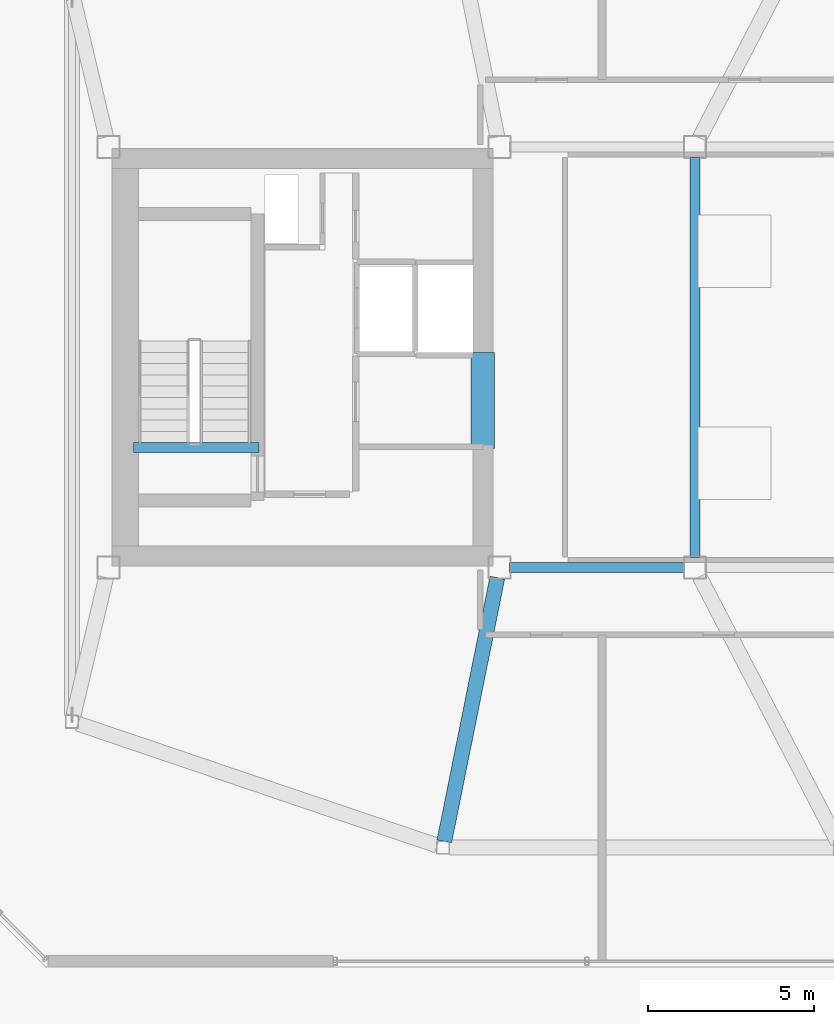
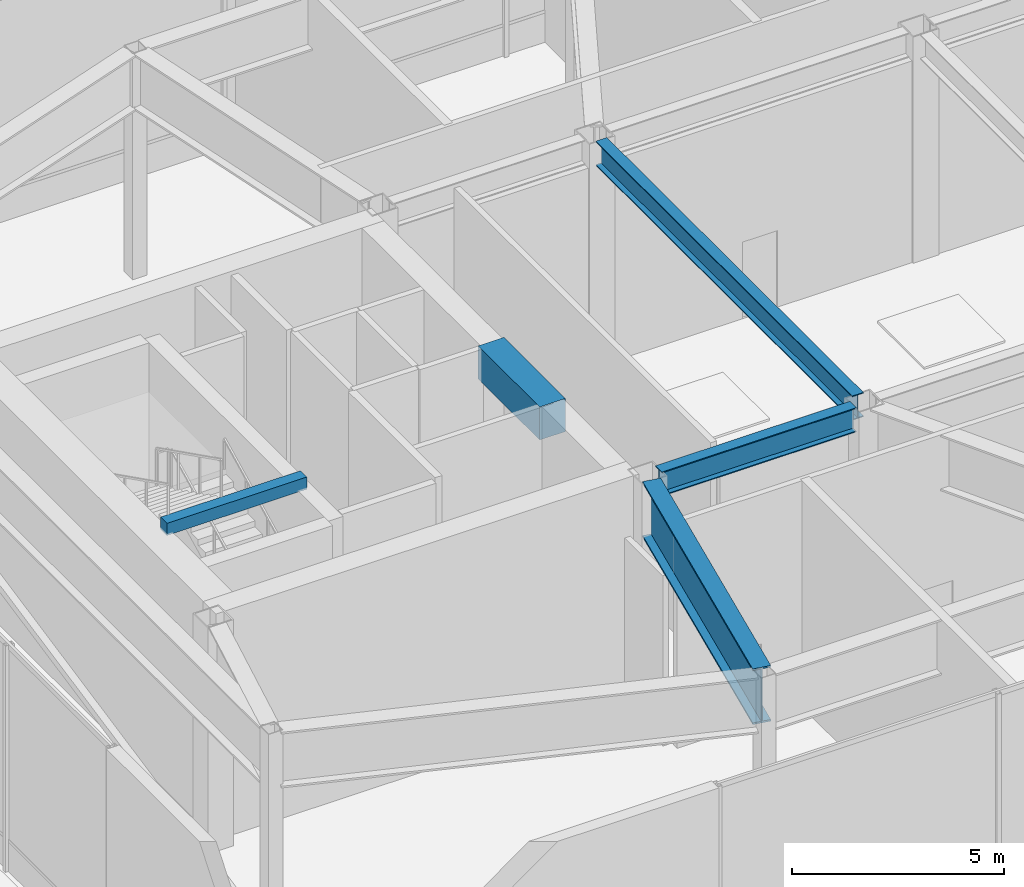
# One storey, part 5 of 25: 5 beams.
"""IFC4 building model written with IfcOpenShell, lengths in metres."""

from ifc_helpers import new_model, si_unit, direction, frame, origin, origin_2d, place, context, subcontext, project, spatial, rectangle, i_section, extrude, material, material_profile, profile_set, type_object, element, save


model = new_model("IFC4")

# Units and contexts
model_context = context("Model", 3, precision=1e-05, world=origin(), true_north=direction((0.0, 1.0)))
body_context = subcontext(model_context, "Body", "Model", "MODEL_VIEW")
ifc_project = project(units=[si_unit("LENGTHUNIT", "METRE"), si_unit("AREAUNIT", "SQUARE_METRE"), si_unit("VOLUMEUNIT", "CUBIC_METRE"), si_unit("PLANEANGLEUNIT", "RADIAN"), si_unit("MASSUNIT", "GRAM", prefix="KILO")], contexts=[model_context])

# Site, building, storey
site_placement = place(None, origin())
site = spatial("IfcSite", under=ifc_project, at=site_placement, CompositionType="ELEMENT")
building_placement = place(site_placement, origin())
building = spatial("IfcBuilding", under=site, at=building_placement, Name="Tavrogorsk Clinical Tower", CompositionType="ELEMENT")
storey_placement = place(building_placement, frame((0.0, 0.0, 333.0)))
storey = spatial("IfcBuildingStorey", under=building, at=storey_placement, Name="L78", CompositionType="ELEMENT", Elevation=333.0)

# Beams
ifc_material_1 = material(Name="Concrete B80", Category="concrete")
ifc_material_profile_1 = material_profile(ifc_material_1, rectangle(XDim=0.699951171875, YDim=0.949951171875, at=origin_2d()), Name="RC-CB-700x950")
ifc_profile_set_1 = profile_set([ifc_material_profile_1], Name="Concrete B80")
beam_type_1 = type_object("IfcBeamType", Name="CouplingBeam_RC700x950", PredefinedType="LINTEL", material=ifc_profile_set_1)
beam_1_placement = place(storey_placement, frame((-10.800048828125, -2.75, 6.02490234375), z_axis=(0.0, 1.0, 0.0), x_axis=(-1.0, 0.0, 0.0)))
element("IfcBeam", 1, at=beam_1_placement, inside=storey, type_object=beam_type_1, Name="L78 Core West Coupling Beam", PredefinedType="LINTEL", context=body_context, shape_type="SweptSolid", body=[
    extrude(rectangle(XDim=0.699951171875, YDim=0.949951171875, at=origin_2d()), origin(), (0.0, 0.0, 1.0), 2.89990234375),
])
ifc_material_2 = material(Name="Structural steel S390", Category="steel")
ifc_material_profile_2 = material_profile(ifc_material_2, i_section(OverallWidth=0.300048828125, OverallDepth=0.699951171875, WebThickness=0.01708984375, FlangeThickness=0.028076171875, at=origin_2d()), Name="B-700x300x17x28")
ifc_profile_set_2 = profile_set([ifc_material_profile_2], Name="Structural steel S390")
beam_type_2 = type_object("IfcBeamType", Name="PrimaryGirder_B700", PredefinedType="USERDEFINED", material=ifc_profile_set_2)
beam_2_placement = place(storey_placement, frame((-9.989990234375, -6.35009765625, 6.14990234375), z_axis=(1.0, 0.0, 0.0), x_axis=(0.0, 1.0, 0.0)))
element("IfcBeam", 2, at=beam_2_placement, inside=storey, type_object=beam_type_2, Name="L78 Primary Spine Girder MG-01", ObjectType="GIRDER", PredefinedType="USERDEFINED", context=body_context, shape_type="SweptSolid", body=[
    extrude(i_section(OverallWidth=0.300048828125, OverallDepth=0.699951171875, WebThickness=0.01708984375, FlangeThickness=0.028076171875, at=origin_2d()), origin(), (0.0, 0.0, 1.0), 5.280029296875),
])
beam_3_placement = place(storey_placement, frame((-4.39990234375, -6.0400390625, 6.14990234375), z_axis=(0.0, 1.0, 0.0), x_axis=(-1.0, 0.0, 0.0)))
element("IfcBeam", 3, at=beam_3_placement, inside=storey, type_object=beam_type_2, Name="L78 Primary Spine Girder MG-07", ObjectType="GIRDER", PredefinedType="USERDEFINED", context=body_context, shape_type="SweptSolid", body=[
    extrude(i_section(OverallWidth=0.300048828125, OverallDepth=0.699951171875, WebThickness=0.01708984375, FlangeThickness=0.028076171875, at=origin_2d()), origin(), (0.0, 0.0, 1.0), 12.080078125),
])
ifc_material_3 = material(Name="Concrete B60", Category="concrete")
ifc_material_profile_3 = material_profile(ifc_material_3, rectangle(XDim=0.300048828125, YDim=0.35009765625, at=origin_2d()), Name="RC-SHB-300x350")
ifc_profile_set_3 = profile_set([ifc_material_profile_3], Name="Concrete B60")
beam_type_3 = type_object("IfcBeamType", Name="StairHeaderBeam_RC300x350", PredefinedType="BEAM", material=ifc_profile_set_3)
beam_4_placement = place(storey_placement, frame((-21.35009765625, -2.719970703125, 6.625), z_axis=(1.0, 0.0, 0.0), x_axis=(0.0, 1.0, 0.0)))
element("IfcBeam", 4, at=beam_4_placement, inside=storey, type_object=beam_type_3, Name="L79 ST-W Landing Header Beam", PredefinedType="BEAM", context=body_context, shape_type="SweptSolid", body=[
    extrude(rectangle(XDim=0.300048828125, YDim=0.35009765625, at=origin_2d()), origin(), (0.0, 0.0, 1.0), 3.800048828125),
])
ifc_material_4 = material(Name="Structural steel S440", Category="steel")
ifc_material_profile_4 = material_profile(ifc_material_4, i_section(OverallWidth=0.449951171875, OverallDepth=1.60009765625, WebThickness=0.031982421875, FlangeThickness=0.050048828125, at=origin_2d()), Name="DK-1600x450x32x50")
ifc_profile_set_4 = profile_set([ifc_material_profile_4], Name="Structural steel S440")
beam_type_4 = type_object("IfcBeamType", Name="TransferGirder_DK1600", PredefinedType="USERDEFINED", material=ifc_profile_set_4)
beam_5_placement = place(storey_placement, frame((-10.361083984375, -6.65380859375, 5.699951171875), z_axis=(-0.197249355273, -0.980353350504, 0.0), x_axis=(0.980353350504, -0.197249355273, 0.0)))
element("IfcBeam", 5, at=beam_5_placement, inside=storey, type_object=beam_type_4, Name="L78 Crown Radial Beam 01", ObjectType="GIRDER", PredefinedType="USERDEFINED", context=body_context, shape_type="SweptSolid", body=[
    extrude(i_section(OverallWidth=0.449951171875, OverallDepth=1.60009765625, WebThickness=0.031982421875, FlangeThickness=0.050048828125, at=origin_2d()), origin(), (0.0, 0.0, 1.0), 8.119384765625),
])

save(model, "model.ifc")
